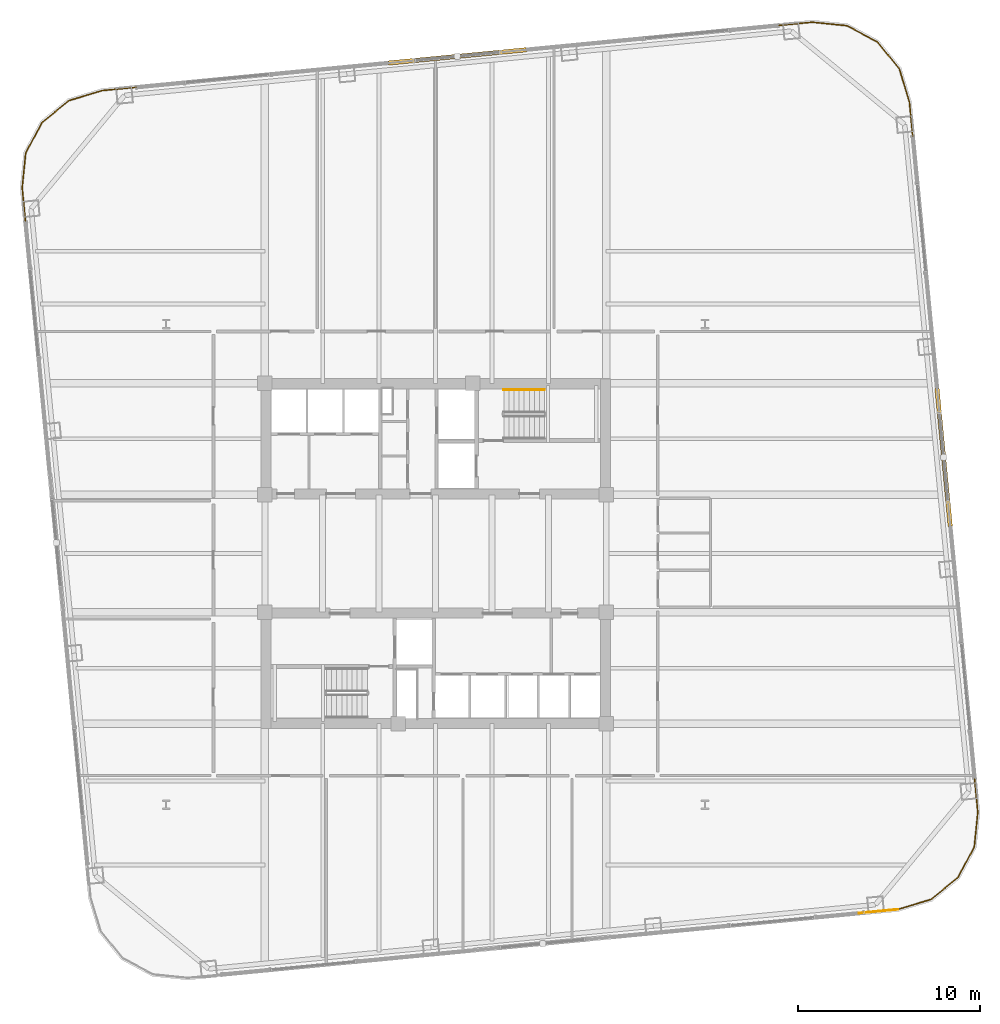
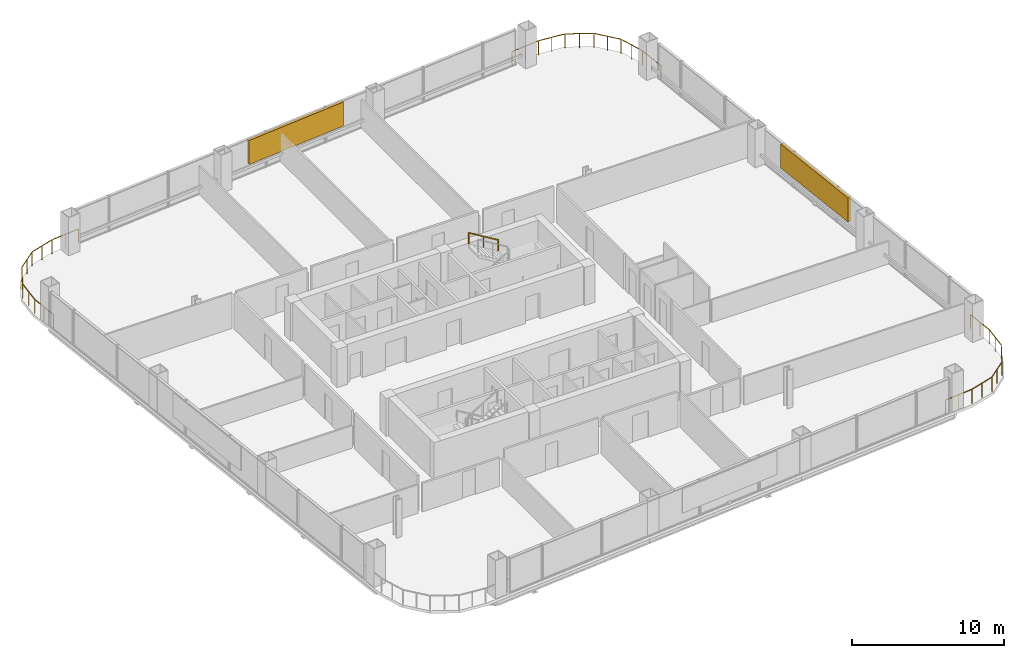
# One storey, part 32 of 32: 5 railings, 2 shading devices.
"""IFC4 building model written with IfcOpenShell, lengths in metres."""

from ifc_helpers import new_model, si_unit, direction, frame, origin, origin_2d, place, context, subcontext, project, spatial, rectangle, extrude, material, type_object, element, save


model = new_model("IFC4")

# Units and contexts
model_context = context("Model", 3, precision=1e-05, world=origin(), true_north=direction((0.0, 1.0)))
body_context = subcontext(model_context, "Body", "Model", "MODEL_VIEW")
ifc_project = project(units=[si_unit("LENGTHUNIT", "METRE"), si_unit("AREAUNIT", "SQUARE_METRE"), si_unit("VOLUMEUNIT", "CUBIC_METRE"), si_unit("PLANEANGLEUNIT", "RADIAN"), si_unit("MASSUNIT", "GRAM", prefix="KILO")], contexts=[model_context])

# Site, building, storey
site_placement = place(None, origin())
site = spatial("IfcSite", under=ifc_project, at=site_placement, CompositionType="ELEMENT")
building_placement = place(site_placement, origin())
building = spatial("IfcBuilding", under=site, at=building_placement, Name="Qhalaya Broadcast Tower", CompositionType="ELEMENT")
storey_placement = place(building_placement, frame((0.0, 0.0, 87.75)))
storey = spatial("IfcBuildingStorey", under=building, at=storey_placement, Name="L25", CompositionType="ELEMENT", Elevation=87.75)

# Railings
ifc_material_1 = material(Name="Powder-Coated Galvanised Steel", Category="steel")
railing_type_1 = type_object("IfcRailingType", Name="Stair Wall Handrail 900", PredefinedType="HANDRAIL", material=ifc_material_1)
railing_1_placement = place(storey_placement, frame((5.989990234375, 9.590087890625, 1.6943359375)))
element("IfcRailing", 1, at=railing_1_placement, inside=storey, type_object=railing_type_1, Name="L25 ST-1 Stair Handrail 2", PredefinedType="HANDRAIL", context=body_context, shape_type="SweptSolid", body=[
    extrude(rectangle(XDim=0.048095703125, YDim=0.048095703125, at=origin_2d()), frame((0.0, 0.0, 0.8759765625), z_axis=(-0.855512035549, 0.0, 0.517782924622), x_axis=(0.0, -1.0, 0.0)), (0.0, 0.0, 1.0), 2.618408203125),
    extrude(rectangle(XDim=0.0419921875, YDim=0.0419921875, at=origin_2d()), origin(), (0.0, 0.0, 1.0), 0.849853515625),
    extrude(rectangle(XDim=0.0419921875, YDim=0.0419921875, at=origin_2d()), frame((-1.1201171875, 0.0, 0.677734375)), (0.0, 0.0, 1.0), 0.849853515625),
    extrude(rectangle(XDim=0.0419921875, YDim=0.0419921875, at=origin_2d()), frame((-2.239990234375, 0.0, 1.355712890625)), (0.0, 0.0, 1.0), 0.849853515625),
])
railing_type_2 = type_object("IfcRailingType", Name="Terrace, Sky-Pool & Lookout Glass Balustrade 1150", PredefinedType="BALUSTRADE", material=ifc_material_1)
railing_2_placement = place(storey_placement, frame((25.38427734375, -18.949951171875, 0.0)))
element("IfcRailing", 2, at=railing_2_placement, inside=storey, type_object=railing_type_2, Name="L25 Rounded Corner Perimeter Guard 01", PredefinedType="BALUSTRADE", context=body_context, shape_type="SweptSolid", body=[
    extrude(rectangle(XDim=0.048095703125, YDim=0.048095703125, at=origin_2d()), frame((0.0, 0.0, 1.1259765625), z_axis=(-0.995402268864, -0.095782687057, 0.0), x_axis=(0.095782687057, -0.995402268864, 0.0)), (0.0, 0.0, 1.0), 2.1181640625),
    extrude(rectangle(XDim=0.0419921875, YDim=0.0419921875, at=origin_2d()), origin(), (0.0, 0.0, 1.0), 1.099853515625),
    extrude(rectangle(XDim=0.0419921875, YDim=0.0419921875, at=origin_2d()), frame((-1.05419921875, -0.1015625, 0.0)), (0.0, 0.0, 1.0), 1.099853515625),
    extrude(rectangle(XDim=0.0419921875, YDim=0.0419921875, at=origin_2d()), frame((-2.1083984375, -0.202880859375, 0.0)), (0.0, 0.0, 1.0), 1.099853515625),
])
railing_3_placement = place(storey_placement, frame((-22.501708984375, 18.583251953125, 0.0)))
element("IfcRailing", 3, at=railing_3_placement, inside=storey, type_object=railing_type_2, Name="L25 Rounded Corner Perimeter Guard 03", PredefinedType="BALUSTRADE", context=body_context, shape_type="SweptSolid", body=[
    extrude(rectangle(XDim=0.048095703125, YDim=0.048095703125, at=origin_2d()), frame((0.0, 0.0, 1.1259765625), z_axis=(-0.095782687057, 0.995402268864, 0.0), x_axis=(-0.995402268864, -0.095782687057, 0.0)), (0.0, 0.0, 1.0), 2.08935546875),
    extrude(rectangle(XDim=0.048095703125, YDim=0.048095703125, at=origin_2d()), frame((-0.199951171875, 2.13720703125, 1.1259765625), z_axis=(0.100071682341, 0.994980230152, 0.0), x_axis=(-0.994980230152, 0.100071682341, 0.0)), (0.0, 0.0, 1.0), 1.857421875),
    extrude(rectangle(XDim=0.048095703125, YDim=0.048095703125, at=origin_2d()), frame((0.00244140625, 4.039306640625, 1.1259765625), z_axis=(0.473342342286, 0.880878554058, 0.0), x_axis=(-0.880878554058, 0.473342342286, 0.0)), (0.0, 0.0, 1.0), 1.845458984375),
    extrude(rectangle(XDim=0.048095703125, YDim=0.048095703125, at=origin_2d()), frame((0.912109375, 5.708740234375, 1.1259765625), z_axis=(0.774420039683, 0.632671796541, 0.0), x_axis=(-0.632671796541, 0.774420039683, 0.0)), (0.0, 0.0, 1.0), 1.845458984375),
    extrude(rectangle(XDim=0.048095703125, YDim=0.048095703125, at=origin_2d()), frame((2.39111328125, 6.90283203125, 1.1259765625), z_axis=(0.95756627332, 0.288213171456, 0.0), x_axis=(-0.288213171456, 0.95756627332, 0.0)), (0.0, 0.0, 1.0), 1.857421875),
    extrude(rectangle(XDim=0.048095703125, YDim=0.048095703125, at=origin_2d()), frame((4.226318359375, 7.44921875, 1.1259765625), z_axis=(0.995391273094, 0.095896889673, 0.0), x_axis=(-0.095896889673, 0.995391273094, 0.0)), (0.0, 0.0, 1.0), 2.08935546875),
    extrude(rectangle(XDim=0.0419921875, YDim=0.0419921875, at=origin_2d()), origin(), (0.0, 0.0, 1.0), 1.099853515625),
    extrude(rectangle(XDim=0.0419921875, YDim=0.0419921875, at=origin_2d()), frame((-0.1015625, 1.05419921875, 0.0)), (0.0, 0.0, 1.0), 1.099853515625),
    extrude(rectangle(XDim=0.0419921875, YDim=0.0419921875, at=origin_2d()), frame((-0.202880859375, 2.1083984375, 0.0)), (0.0, 0.0, 1.0), 1.099853515625),
    extrude(rectangle(XDim=0.0419921875, YDim=0.0419921875, at=origin_2d()), frame((-0.10693359375, 3.06103515625, 0.0)), (0.0, 0.0, 1.0), 1.099853515625),
    extrude(rectangle(XDim=0.0419921875, YDim=0.0419921875, at=origin_2d()), frame((-0.01123046875, 4.013916015625, 0.0)), (0.0, 0.0, 1.0), 1.099853515625),
    extrude(rectangle(XDim=0.0419921875, YDim=0.0419921875, at=origin_2d()), frame((0.439208984375, 4.85205078125, 0.0)), (0.0, 0.0, 1.0), 1.099853515625),
    extrude(rectangle(XDim=0.0419921875, YDim=0.0419921875, at=origin_2d()), frame((0.8896484375, 5.6904296875, 0.0)), (0.0, 0.0, 1.0), 1.099853515625),
    extrude(rectangle(XDim=0.0419921875, YDim=0.0419921875, at=origin_2d()), frame((1.62646484375, 6.29248046875, 0.0)), (0.0, 0.0, 1.0), 1.099853515625),
    extrude(rectangle(XDim=0.0419921875, YDim=0.0419921875, at=origin_2d()), frame((2.363525390625, 6.89453125, 0.0)), (0.0, 0.0, 1.0), 1.099853515625),
    extrude(rectangle(XDim=0.0419921875, YDim=0.0419921875, at=origin_2d()), frame((3.280517578125, 7.17041015625, 0.0)), (0.0, 0.0, 1.0), 1.099853515625),
    extrude(rectangle(XDim=0.0419921875, YDim=0.0419921875, at=origin_2d()), frame((4.197509765625, 7.446533203125, 0.0)), (0.0, 0.0, 1.0), 1.099853515625),
    extrude(rectangle(XDim=0.0419921875, YDim=0.0419921875, at=origin_2d()), frame((5.251708984375, 7.548095703125, 0.0)), (0.0, 0.0, 1.0), 1.099853515625),
    extrude(rectangle(XDim=0.0419921875, YDim=0.0419921875, at=origin_2d()), frame((6.305908203125, 7.649658203125, 0.0)), (0.0, 0.0, 1.0), 1.099853515625),
])
railing_4_placement = place(storey_placement, frame((18.583251953125, 29.581787109375, 0.0)))
element("IfcRailing", 4, at=railing_4_placement, inside=storey, type_object=railing_type_2, Name="L25 Rounded Corner Perimeter Guard 04", PredefinedType="BALUSTRADE", context=body_context, shape_type="SweptSolid", body=[
    extrude(rectangle(XDim=0.048095703125, YDim=0.048095703125, at=origin_2d()), frame((0.0, 0.0, 1.1259765625), z_axis=(0.995402268864, 0.095782687057, 0.0), x_axis=(-0.095782687057, 0.995402268864, 0.0)), (0.0, 0.0, 1.0), 2.08935546875),
    extrude(rectangle(XDim=0.048095703125, YDim=0.048095703125, at=origin_2d()), frame((2.13720703125, 0.199951171875, 1.1259765625), z_axis=(0.994980230152, -0.100071682341, 0.0), x_axis=(0.100071682341, 0.994980230152, 0.0)), (0.0, 0.0, 1.0), 1.857421875),
    extrude(rectangle(XDim=0.048095703125, YDim=0.048095703125, at=origin_2d()), frame((4.039306640625, -0.00244140625, 1.1259765625), z_axis=(0.880878554058, -0.473342342286, 0.0), x_axis=(0.473342342286, 0.880878554058, 0.0)), (0.0, 0.0, 1.0), 1.845458984375),
    extrude(rectangle(XDim=0.048095703125, YDim=0.048095703125, at=origin_2d()), frame((5.708740234375, -0.912109375, 1.1259765625), z_axis=(0.632671796541, -0.774420039683, 0.0), x_axis=(0.774420039683, 0.632671796541, 0.0)), (0.0, 0.0, 1.0), 1.845458984375),
    extrude(rectangle(XDim=0.048095703125, YDim=0.048095703125, at=origin_2d()), frame((6.90283203125, -2.39111328125, 1.1259765625), z_axis=(0.288213171456, -0.95756627332, 0.0), x_axis=(0.95756627332, 0.288213171456, 0.0)), (0.0, 0.0, 1.0), 1.857421875),
    extrude(rectangle(XDim=0.048095703125, YDim=0.048095703125, at=origin_2d()), frame((7.44921875, -4.226318359375, 1.1259765625), z_axis=(0.095896889673, -0.995391273094, 0.0), x_axis=(0.995391273094, 0.095896889673, 0.0)), (0.0, 0.0, 1.0), 2.08935546875),
    extrude(rectangle(XDim=0.0419921875, YDim=0.0419921875, at=origin_2d()), origin(), (0.0, 0.0, 1.0), 1.099853515625),
    extrude(rectangle(XDim=0.0419921875, YDim=0.0419921875, at=origin_2d()), frame((1.05419921875, 0.1015625, 0.0)), (0.0, 0.0, 1.0), 1.099853515625),
    extrude(rectangle(XDim=0.0419921875, YDim=0.0419921875, at=origin_2d()), frame((2.1083984375, 0.202880859375, 0.0)), (0.0, 0.0, 1.0), 1.099853515625),
    extrude(rectangle(XDim=0.0419921875, YDim=0.0419921875, at=origin_2d()), frame((3.06103515625, 0.10693359375, 0.0)), (0.0, 0.0, 1.0), 1.099853515625),
    extrude(rectangle(XDim=0.0419921875, YDim=0.0419921875, at=origin_2d()), frame((4.013916015625, 0.01123046875, 0.0)), (0.0, 0.0, 1.0), 1.099853515625),
    extrude(rectangle(XDim=0.0419921875, YDim=0.0419921875, at=origin_2d()), frame((4.85205078125, -0.439208984375, 0.0)), (0.0, 0.0, 1.0), 1.099853515625),
    extrude(rectangle(XDim=0.0419921875, YDim=0.0419921875, at=origin_2d()), frame((5.6904296875, -0.8896484375, 0.0)), (0.0, 0.0, 1.0), 1.099853515625),
    extrude(rectangle(XDim=0.0419921875, YDim=0.0419921875, at=origin_2d()), frame((6.29248046875, -1.62646484375, 0.0)), (0.0, 0.0, 1.0), 1.099853515625),
    extrude(rectangle(XDim=0.0419921875, YDim=0.0419921875, at=origin_2d()), frame((6.89453125, -2.363525390625, 0.0)), (0.0, 0.0, 1.0), 1.099853515625),
    extrude(rectangle(XDim=0.0419921875, YDim=0.0419921875, at=origin_2d()), frame((7.17041015625, -3.280517578125, 0.0)), (0.0, 0.0, 1.0), 1.099853515625),
    extrude(rectangle(XDim=0.0419921875, YDim=0.0419921875, at=origin_2d()), frame((7.446533203125, -4.197509765625, 0.0)), (0.0, 0.0, 1.0), 1.099853515625),
    extrude(rectangle(XDim=0.0419921875, YDim=0.0419921875, at=origin_2d()), frame((7.548095703125, -5.251708984375, 0.0)), (0.0, 0.0, 1.0), 1.099853515625),
    extrude(rectangle(XDim=0.0419921875, YDim=0.0419921875, at=origin_2d()), frame((7.649658203125, -6.305908203125, 0.0)), (0.0, 0.0, 1.0), 1.099853515625),
])
railing_5_placement = place(storey_placement, frame((29.581787109375, -11.50341796875, 0.0)))
element("IfcRailing", 5, at=railing_5_placement, inside=storey, type_object=railing_type_2, Name="L25 Rounded Corner Perimeter Guard 05", PredefinedType="BALUSTRADE", context=body_context, shape_type="SweptSolid", body=[
    extrude(rectangle(XDim=0.048095703125, YDim=0.048095703125, at=origin_2d()), frame((0.0, 0.0, 1.1259765625), z_axis=(0.095782687057, -0.995402268864, 0.0), x_axis=(0.995402268864, 0.095782687057, 0.0)), (0.0, 0.0, 1.0), 2.08935546875),
    extrude(rectangle(XDim=0.048095703125, YDim=0.048095703125, at=origin_2d()), frame((0.199951171875, -2.13720703125, 1.1259765625), z_axis=(-0.100084377028, -0.994978953282, 0.0), x_axis=(0.994978953282, -0.100084377028, 0.0)), (0.0, 0.0, 1.0), 1.857177734375),
    extrude(rectangle(XDim=0.048095703125, YDim=0.048095703125, at=origin_2d()), frame((-0.00244140625, -4.0390625, 1.1259765625), z_axis=(-0.473288861424, -0.880907290044, 0.0), x_axis=(0.880907290044, -0.473288861424, 0.0)), (0.0, 0.0, 1.0), 1.845703125),
    extrude(rectangle(XDim=0.048095703125, YDim=0.048095703125, at=origin_2d()), frame((-0.912109375, -5.708740234375, 1.1259765625), z_axis=(-0.774420039683, -0.632671796541, 0.0), x_axis=(0.632671796541, -0.774420039683, 0.0)), (0.0, 0.0, 1.0), 1.845458984375),
    extrude(rectangle(XDim=0.048095703125, YDim=0.048095703125, at=origin_2d()), frame((-2.39111328125, -6.90283203125, 1.1259765625), z_axis=(-0.95756627332, -0.288213171456, 0.0), x_axis=(0.288213171456, -0.95756627332, 0.0)), (0.0, 0.0, 1.0), 1.886474609375),
    extrude(rectangle(XDim=0.0419921875, YDim=0.0419921875, at=origin_2d()), origin(), (0.0, 0.0, 1.0), 1.099853515625),
    extrude(rectangle(XDim=0.0419921875, YDim=0.0419921875, at=origin_2d()), frame((0.1015625, -1.05419921875, 0.0)), (0.0, 0.0, 1.0), 1.099853515625),
    extrude(rectangle(XDim=0.0419921875, YDim=0.0419921875, at=origin_2d()), frame((0.202880859375, -2.1083984375, 0.0)), (0.0, 0.0, 1.0), 1.099853515625),
    extrude(rectangle(XDim=0.0419921875, YDim=0.0419921875, at=origin_2d()), frame((0.10693359375, -3.06103515625, 0.0)), (0.0, 0.0, 1.0), 1.099853515625),
    extrude(rectangle(XDim=0.0419921875, YDim=0.0419921875, at=origin_2d()), frame((0.01123046875, -4.013671875, 0.0)), (0.0, 0.0, 1.0), 1.099853515625),
    extrude(rectangle(XDim=0.0419921875, YDim=0.0419921875, at=origin_2d()), frame((-0.439208984375, -4.85205078125, 0.0)), (0.0, 0.0, 1.0), 1.099853515625),
    extrude(rectangle(XDim=0.0419921875, YDim=0.0419921875, at=origin_2d()), frame((-0.8896484375, -5.6904296875, 0.0)), (0.0, 0.0, 1.0), 1.099853515625),
    extrude(rectangle(XDim=0.0419921875, YDim=0.0419921875, at=origin_2d()), frame((-1.62646484375, -6.29248046875, 0.0)), (0.0, 0.0, 1.0), 1.099853515625),
    extrude(rectangle(XDim=0.0419921875, YDim=0.0419921875, at=origin_2d()), frame((-2.363525390625, -6.89453125, 0.0)), (0.0, 0.0, 1.0), 1.099853515625),
    extrude(rectangle(XDim=0.0419921875, YDim=0.0419921875, at=origin_2d()), frame((-3.280517578125, -7.17041015625, 0.0)), (0.0, 0.0, 1.0), 1.099853515625),
    extrude(rectangle(XDim=0.0419921875, YDim=0.0419921875, at=origin_2d()), frame((-4.197509765625, -7.446533203125, 0.0)), (0.0, 0.0, 1.0), 1.099853515625),
])

# Shading devices
ifc_material_2 = material(Name="Fired Architectural Terracotta", Category="masonry")
shading_device_type = type_object("IfcShadingDeviceType", Name="Terracotta Baguette Solar Screen Assembly TBS-01", PredefinedType="USERDEFINED", material=ifc_material_2)
for number, where, z_axis, x_axis, name in (
    (6, (27.9072265625, 5.88623046875, 0.79248046875), (0.0, 0.0, 1.0), (-0.09584575252, 0.995396198367, 0.0), "L25 Fired Terracotta Baguette Screen E"),
    (7, (1.193603515625, 27.9072265625, 0.79248046875), (0.0, 0.0, 1.0), (-0.995396198367, -0.09584575252, 0.0), "L25 Fired Terracotta Baguette Screen N"),
):
    element("IfcShadingDevice", number, at=place(storey_placement, frame(where, z_axis=z_axis, x_axis=x_axis)), inside=storey, type_object=shading_device_type, Name=name, ObjectType="BAGUETTE", PredefinedType="USERDEFINED", context=body_context, shape_type="SweptSolid", body=[
        extrude(rectangle(XDim=7.60009765625, YDim=0.239990234375, at=origin_2d()), origin(), (0.0, 0.0, 1.0), 1.924072265625),
    ])

save(model, "model.ifc")
